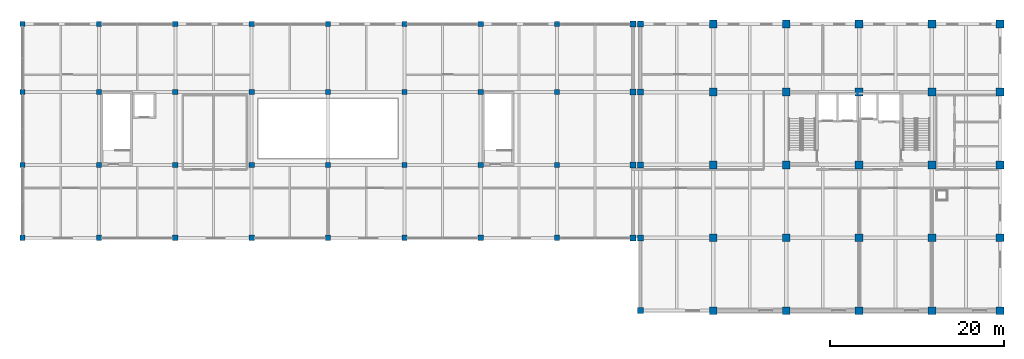
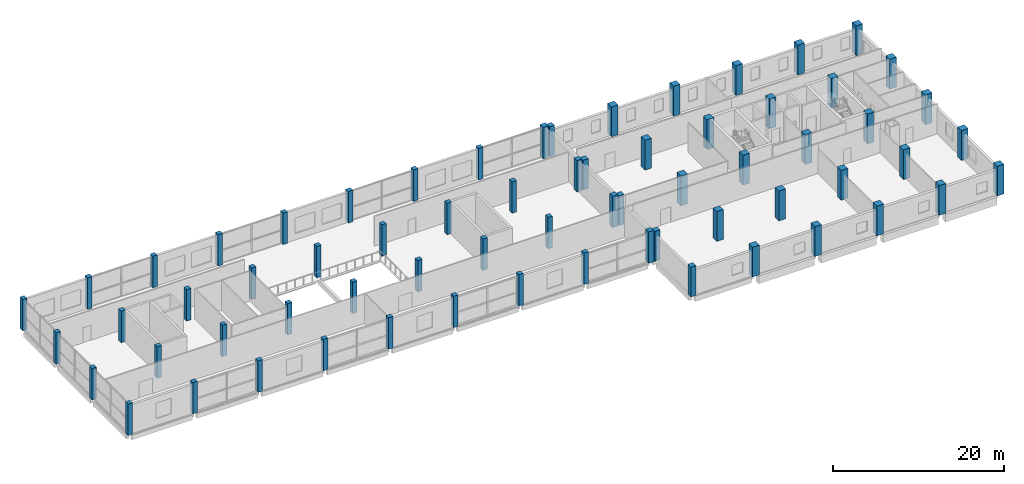
# One storey, part 1 of 18: 66 columns.
"""IFC4 building model written with IfcOpenShell, lengths in metres."""

from ifc_helpers import new_model, si_unit, direction, frame, origin, origin_2d, place, context, subcontext, project, spatial, rectangle, extrude, material, material_profile, profile_set, type_object, element, save


model = new_model("IFC4")

# Units and contexts
model_context = context("Model", 3, precision=1e-05, world=origin(), true_north=direction((0.0, 1.0)))
body_context = subcontext(model_context, "Body", "Model", "MODEL_VIEW")
ifc_project = project(units=[si_unit("LENGTHUNIT", "METRE"), si_unit("AREAUNIT", "SQUARE_METRE"), si_unit("VOLUMEUNIT", "CUBIC_METRE"), si_unit("PLANEANGLEUNIT", "RADIAN"), si_unit("MASSUNIT", "GRAM", prefix="KILO")], contexts=[model_context])

# Site, building, storey
site_placement = place(None, origin())
site = spatial("IfcSite", under=ifc_project, at=site_placement, CompositionType="ELEMENT")
building_placement = place(site_placement, origin())
building = spatial("IfcBuilding", under=site, at=building_placement, Name="Brinegate Botanical Conservatory", CompositionType="ELEMENT")
storey_placement = place(building_placement, frame((0.0, 0.0, 14.699951171875)))
storey = spatial("IfcBuildingStorey", under=building, at=storey_placement, Name="L04", CompositionType="ELEMENT", Elevation=14.699951171875)

# Columns
ifc_material_1 = material(Name="Concrete C50/60", Category="concrete")
ifc_material_profile_1 = material_profile(ifc_material_1, rectangle(XDim=0.699951171875, YDim=0.699951171875, at=origin_2d()), Name="RC COL 700x700")
ifc_profile_set_1 = profile_set([ifc_material_profile_1], Name="Concrete C50/60")
column_type_1 = type_object("IfcColumnType", Name="Col_C-JT", PredefinedType="COLUMN", material=ifc_profile_set_1)
for number, where, z_axis, x_axis, name in (
    (1, (121.14990234375, 86.800048828125, 0.0), (0.0, 0.0, 1.0), (1.0, 0.0, 0.0), "Column C-JT L04 L-15"),
    (2, (121.14990234375, 95.199951171875, 0.0), (0.0, 0.0, 1.0), (1.0, 0.0, 0.0), "Column C-JT L04 M-15"),
    (3, (121.14990234375, 103.60009765625, 0.0), (0.0, 0.0, 1.0), (1.0, 0.0, 0.0), "Column C-JT L04 N-15"),
    (4, (121.14990234375, 111.449951171875, 0.0), (0.0, 0.0, 1.0), (1.0, 0.0, 0.0), "Column C-JT L04 P-15"),
):
    element("IfcColumn", number, at=place(storey_placement, frame(where, z_axis=z_axis, x_axis=x_axis)), inside=storey, type_object=column_type_1, Name=name, PredefinedType="COLUMN", context=body_context, shape_type="SweptSolid", body=[
        extrude(rectangle(XDim=0.699951171875, YDim=0.699951171875, at=origin_2d()), origin(), (0.0, 0.0, 1.0), 4.5),
    ])
for number, where, z_axis, x_axis, name in (
    (5, (122.0, 78.39990234375, 0.0), (0.0, 0.0, 1.0), (1.0, 0.0, 0.0), "Column C-JT L04 K-16"),
    (6, (122.0, 86.800048828125, 0.0), (0.0, 0.0, 1.0), (1.0, 0.0, 0.0), "Column C-JT L04 L-16"),
    (7, (122.0, 95.199951171875, 0.0), (0.0, 0.0, 1.0), (1.0, 0.0, 0.0), "Column C-JT L04 M-16"),
    (8, (122.0, 103.60009765625, 0.0), (0.0, 0.0, 1.0), (1.0, 0.0, 0.0), "Column C-JT L04 N-16"),
    (9, (122.0, 111.449951171875, 0.0), (0.0, 0.0, 1.0), (1.0, 0.0, 0.0), "Column C-JT L04 P-16"),
):
    element("IfcColumn", number, at=place(storey_placement, frame(where, z_axis=z_axis, x_axis=x_axis)), inside=storey, type_object=column_type_1, Name=name, PredefinedType="COLUMN", context=body_context, shape_type="SweptSolid", body=[
        extrude(rectangle(XDim=0.699951171875, YDim=0.699951171875, at=origin_2d()), origin(), (0.0, 0.0, 1.0), 4.260009765625),
    ])
ifc_material_profile_2 = material_profile(ifc_material_1, rectangle(XDim=0.89990234375, YDim=0.89990234375, at=origin_2d()), Name="RC COL 900x900")
ifc_profile_set_2 = profile_set([ifc_material_profile_2], Name="Concrete C50/60")
column_type_2 = type_object("IfcColumnType", Name="Col_C-T2", PredefinedType="COLUMN", material=ifc_profile_set_2)
for number, where, z_axis, x_axis, name in (
    (10, (130.39990234375, 78.39990234375, 0.0), (0.0, 0.0, 1.0), (1.0, 0.0, 0.0), "Column C-T2 L04 K-17"),
    (11, (130.39990234375, 86.800048828125, 0.0), (0.0, 0.0, 1.0), (1.0, 0.0, 0.0), "Column C-T2 L04 L-17"),
    (12, (130.39990234375, 95.199951171875, 0.0), (0.0, 0.0, 1.0), (1.0, 0.0, 0.0), "Column C-T2 L04 M-17"),
    (13, (130.39990234375, 103.60009765625, 0.0), (0.0, 0.0, 1.0), (1.0, 0.0, 0.0), "Column C-T2 L04 N-17"),
    (14, (130.39990234375, 111.449951171875, 0.0), (0.0, 0.0, 1.0), (1.0, 0.0, 0.0), "Column C-T2 L04 P-17"),
    (15, (138.800048828125, 78.39990234375, 0.0), (0.0, 0.0, 1.0), (1.0, 0.0, 0.0), "Column C-T2 L04 K-18"),
    (16, (138.800048828125, 86.800048828125, 0.0), (0.0, 0.0, 1.0), (1.0, 0.0, 0.0), "Column C-T2 L04 L-18"),
    (17, (138.800048828125, 95.199951171875, 0.0), (0.0, 0.0, 1.0), (1.0, 0.0, 0.0), "Column C-T2 L04 M-18"),
    (18, (138.800048828125, 103.60009765625, 0.0), (0.0, 0.0, 1.0), (1.0, 0.0, 0.0), "Column C-T2 L04 N-18"),
    (19, (138.800048828125, 111.449951171875, 0.0), (0.0, 0.0, 1.0), (1.0, 0.0, 0.0), "Column C-T2 L04 P-18"),
    (20, (147.199951171875, 78.39990234375, 0.0), (0.0, 0.0, 1.0), (1.0, 0.0, 0.0), "Column C-T2 L04 K-19"),
    (21, (147.199951171875, 86.800048828125, 0.0), (0.0, 0.0, 1.0), (1.0, 0.0, 0.0), "Column C-T2 L04 L-19"),
    (22, (147.199951171875, 95.199951171875, 0.0), (0.0, 0.0, 1.0), (1.0, 0.0, 0.0), "Column C-T2 L04 M-19"),
    (23, (147.199951171875, 103.60009765625, 0.0), (0.0, 0.0, 1.0), (1.0, 0.0, 0.0), "Column C-T2 L04 N-19"),
    (24, (147.199951171875, 111.449951171875, 0.0), (0.0, 0.0, 1.0), (1.0, 0.0, 0.0), "Column C-T2 L04 P-19"),
    (25, (155.60009765625, 78.39990234375, 0.0), (0.0, 0.0, 1.0), (1.0, 0.0, 0.0), "Column C-T2 L04 K-20"),
    (26, (155.60009765625, 86.800048828125, 0.0), (0.0, 0.0, 1.0), (1.0, 0.0, 0.0), "Column C-T2 L04 L-20"),
    (27, (155.60009765625, 95.199951171875, 0.0), (0.0, 0.0, 1.0), (1.0, 0.0, 0.0), "Column C-T2 L04 M-20"),
    (28, (155.60009765625, 103.60009765625, 0.0), (0.0, 0.0, 1.0), (1.0, 0.0, 0.0), "Column C-T2 L04 N-20"),
    (29, (155.60009765625, 111.449951171875, 0.0), (0.0, 0.0, 1.0), (1.0, 0.0, 0.0), "Column C-T2 L04 P-20"),
    (30, (163.449951171875, 78.39990234375, 0.0), (0.0, 0.0, 1.0), (1.0, 0.0, 0.0), "Column C-T2 L04 K-21"),
    (31, (163.449951171875, 86.800048828125, 0.0), (0.0, 0.0, 1.0), (1.0, 0.0, 0.0), "Column C-T2 L04 L-21"),
    (32, (163.449951171875, 95.199951171875, 0.0), (0.0, 0.0, 1.0), (1.0, 0.0, 0.0), "Column C-T2 L04 M-21"),
    (33, (163.449951171875, 103.60009765625, 0.0), (0.0, 0.0, 1.0), (1.0, 0.0, 0.0), "Column C-T2 L04 N-21"),
    (34, (163.449951171875, 111.449951171875, 0.0), (0.0, 0.0, 1.0), (1.0, 0.0, 0.0), "Column C-T2 L04 P-21"),
):
    element("IfcColumn", number, at=place(storey_placement, frame(where, z_axis=z_axis, x_axis=x_axis)), inside=storey, type_object=column_type_2, Name=name, PredefinedType="COLUMN", context=body_context, shape_type="SweptSolid", body=[
        extrude(rectangle(XDim=0.89990234375, YDim=0.89990234375, at=origin_2d()), origin(), (0.0, 0.0, 1.0), 4.260009765625),
    ])
ifc_material_2 = material(Name="Concrete C40/50", Category="concrete")
ifc_material_profile_3 = material_profile(ifc_material_2, rectangle(XDim=0.60009765625, YDim=0.60009765625, at=origin_2d()), Name="RC COL 600x600")
ifc_profile_set_3 = profile_set([ifc_material_profile_3], Name="Concrete C40/50")
column_type_3 = type_object("IfcColumnType", Name="Col_C-W2", PredefinedType="COLUMN", material=ifc_profile_set_3)
for number, where, z_axis, x_axis, name in (
    (35, (50.800048828125, 86.800048828125, 0.0), (0.0, 0.0, 1.0), (1.0, 0.0, 0.0), "Column C-W2 L04 L-7"),
    (36, (50.800048828125, 95.199951171875, 0.0), (0.0, 0.0, 1.0), (1.0, 0.0, 0.0), "Column C-W2 L04 M-7"),
    (37, (50.800048828125, 103.60009765625, 0.0), (0.0, 0.0, 1.0), (1.0, 0.0, 0.0), "Column C-W2 L04 N-7"),
    (38, (50.800048828125, 111.449951171875, 0.0), (0.0, 0.0, 1.0), (1.0, 0.0, 0.0), "Column C-W2 L04 P-7"),
    (39, (59.60009765625, 86.800048828125, 0.0), (0.0, 0.0, 1.0), (1.0, 0.0, 0.0), "Column C-W2 L04 L-8"),
    (40, (59.60009765625, 95.199951171875, 0.0), (0.0, 0.0, 1.0), (1.0, 0.0, 0.0), "Column C-W2 L04 M-8"),
    (41, (59.60009765625, 103.60009765625, 0.0), (0.0, 0.0, 1.0), (1.0, 0.0, 0.0), "Column C-W2 L04 N-8"),
    (42, (59.60009765625, 111.449951171875, 0.0), (0.0, 0.0, 1.0), (1.0, 0.0, 0.0), "Column C-W2 L04 P-8"),
    (43, (68.39990234375, 86.800048828125, 0.0), (0.0, 0.0, 1.0), (1.0, 0.0, 0.0), "Column C-W2 L04 L-9"),
    (44, (68.39990234375, 95.199951171875, 0.0), (0.0, 0.0, 1.0), (1.0, 0.0, 0.0), "Column C-W2 L04 M-9"),
    (45, (68.39990234375, 103.60009765625, 0.0), (0.0, 0.0, 1.0), (1.0, 0.0, 0.0), "Column C-W2 L04 N-9"),
    (46, (68.39990234375, 111.449951171875, 0.0), (0.0, 0.0, 1.0), (1.0, 0.0, 0.0), "Column C-W2 L04 P-9"),
    (47, (77.199951171875, 86.800048828125, 0.0), (0.0, 0.0, 1.0), (1.0, 0.0, 0.0), "Column C-W2 L04 L-10"),
    (48, (77.199951171875, 95.199951171875, 0.0), (0.0, 0.0, 1.0), (1.0, 0.0, 0.0), "Column C-W2 L04 M-10"),
    (49, (77.199951171875, 103.60009765625, 0.0), (0.0, 0.0, 1.0), (1.0, 0.0, 0.0), "Column C-W2 L04 N-10"),
    (50, (77.199951171875, 111.449951171875, 0.0), (0.0, 0.0, 1.0), (1.0, 0.0, 0.0), "Column C-W2 L04 P-10"),
    (51, (86.0, 86.800048828125, 0.0), (0.0, 0.0, 1.0), (1.0, 0.0, 0.0), "Column C-W2 L04 L-11"),
    (52, (86.0, 95.199951171875, 0.0), (0.0, 0.0, 1.0), (1.0, 0.0, 0.0), "Column C-W2 L04 M-11"),
    (53, (86.0, 103.60009765625, 0.0), (0.0, 0.0, 1.0), (1.0, 0.0, 0.0), "Column C-W2 L04 N-11"),
    (54, (86.0, 111.449951171875, 0.0), (0.0, 0.0, 1.0), (1.0, 0.0, 0.0), "Column C-W2 L04 P-11"),
    (55, (94.800048828125, 86.800048828125, 0.0), (0.0, 0.0, 1.0), (1.0, 0.0, 0.0), "Column C-W2 L04 L-12"),
    (56, (94.800048828125, 95.199951171875, 0.0), (0.0, 0.0, 1.0), (1.0, 0.0, 0.0), "Column C-W2 L04 M-12"),
    (57, (94.800048828125, 103.60009765625, 0.0), (0.0, 0.0, 1.0), (1.0, 0.0, 0.0), "Column C-W2 L04 N-12"),
    (58, (94.800048828125, 111.449951171875, 0.0), (0.0, 0.0, 1.0), (1.0, 0.0, 0.0), "Column C-W2 L04 P-12"),
    (59, (103.60009765625, 86.800048828125, 0.0), (0.0, 0.0, 1.0), (1.0, 0.0, 0.0), "Column C-W2 L04 L-13"),
    (60, (103.60009765625, 95.199951171875, 0.0), (0.0, 0.0, 1.0), (1.0, 0.0, 0.0), "Column C-W2 L04 M-13"),
    (61, (103.60009765625, 103.60009765625, 0.0), (0.0, 0.0, 1.0), (1.0, 0.0, 0.0), "Column C-W2 L04 N-13"),
    (62, (103.60009765625, 111.449951171875, 0.0), (0.0, 0.0, 1.0), (1.0, 0.0, 0.0), "Column C-W2 L04 P-13"),
    (63, (112.39990234375, 86.800048828125, 0.0), (0.0, 0.0, 1.0), (1.0, 0.0, 0.0), "Column C-W2 L04 L-14"),
    (64, (112.39990234375, 95.199951171875, 0.0), (0.0, 0.0, 1.0), (1.0, 0.0, 0.0), "Column C-W2 L04 M-14"),
    (65, (112.39990234375, 103.60009765625, 0.0), (0.0, 0.0, 1.0), (1.0, 0.0, 0.0), "Column C-W2 L04 N-14"),
    (66, (112.39990234375, 111.449951171875, 0.0), (0.0, 0.0, 1.0), (1.0, 0.0, 0.0), "Column C-W2 L04 P-14"),
):
    element("IfcColumn", number, at=place(storey_placement, frame(where, z_axis=z_axis, x_axis=x_axis)), inside=storey, type_object=column_type_3, Name=name, PredefinedType="COLUMN", context=body_context, shape_type="SweptSolid", body=[
        extrude(rectangle(XDim=0.60009765625, YDim=0.60009765625, at=origin_2d()), origin(), (0.0, 0.0, 1.0), 4.5),
    ])

save(model, "model.ifc")
